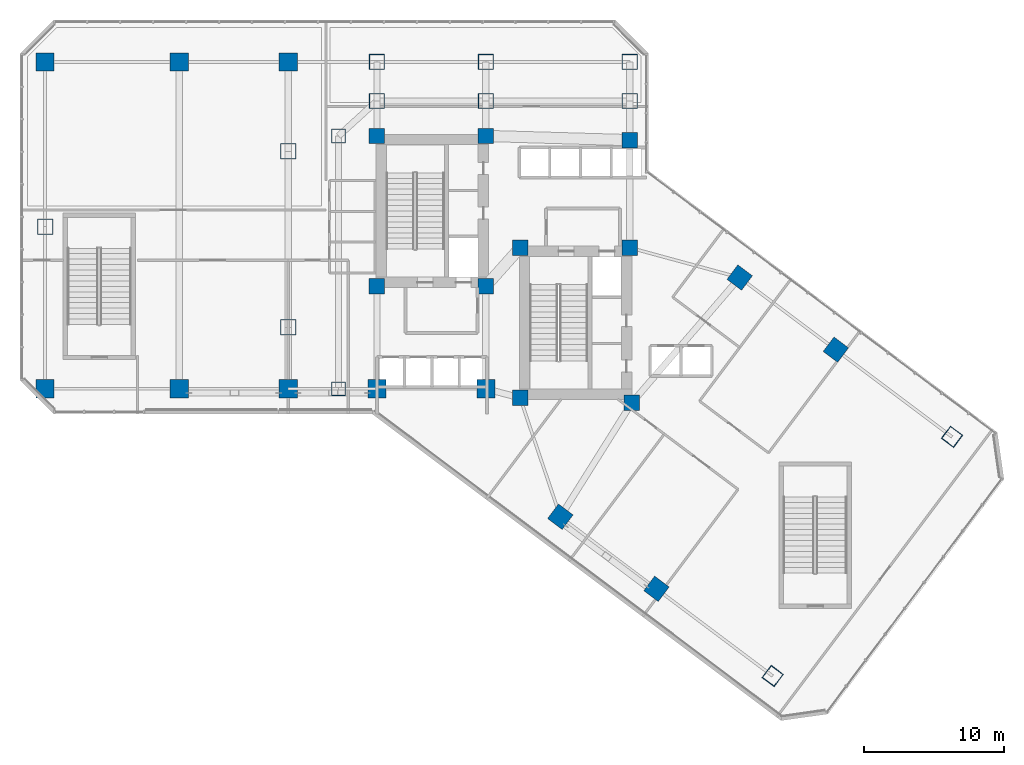
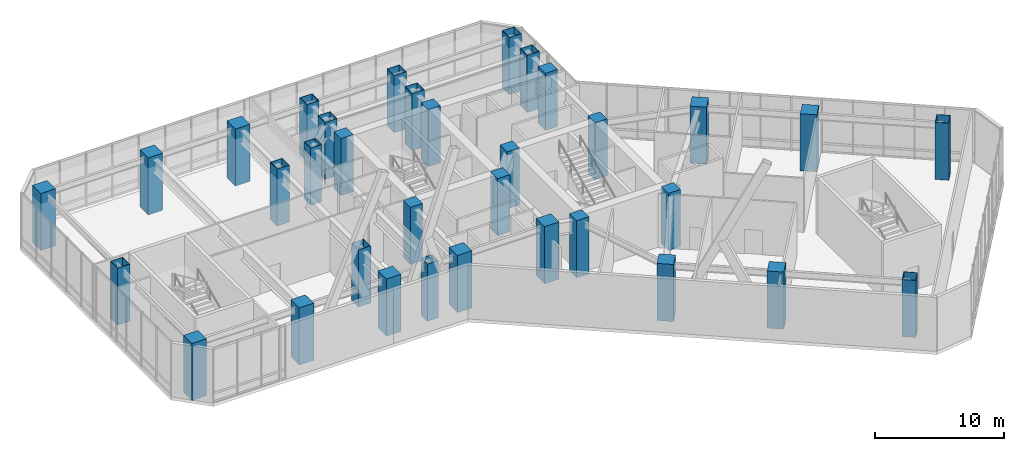
# One storey, part 1 of 35: 34 columns.
"""IFC4 building model written with IfcOpenShell, lengths in metres."""

from ifc_helpers import new_model, si_unit, direction, frame, origin, origin_2d, place, context, subcontext, project, spatial, rectangle, hollow_rectangle, extrude, material, material_profile, profile_set, type_object, element, save


model = new_model("IFC4")

# Units and contexts
model_context = context("Model", 3, precision=1e-05, world=origin(), true_north=direction((0.0, 1.0)))
body_context = subcontext(model_context, "Body", "Model", "MODEL_VIEW")
ifc_project = project(units=[si_unit("LENGTHUNIT", "METRE"), si_unit("AREAUNIT", "SQUARE_METRE"), si_unit("VOLUMEUNIT", "CUBIC_METRE"), si_unit("PLANEANGLEUNIT", "RADIAN"), si_unit("MASSUNIT", "GRAM", prefix="KILO")], contexts=[model_context])

# Site, building, storey
site_placement = place(None, origin())
site = spatial("IfcSite", under=ifc_project, at=site_placement, CompositionType="ELEMENT")
building_placement = place(site_placement, origin())
building = spatial("IfcBuilding", under=site, at=building_placement, Name="Hatsunagi Terrace Concourse", CompositionType="ELEMENT")
storey_placement = place(building_placement, frame((0.0, 0.0, 5.39990234375)))
storey = spatial("IfcBuildingStorey", under=building, at=storey_placement, Name="L02", CompositionType="ELEMENT", Elevation=5.39990234375)

# Columns
ifc_material_1 = material(Name="Concrete Fc60", Category="concrete")
ifc_material_profile_1 = material_profile(ifc_material_1, rectangle(XDim=1.10009765625, YDim=1.10009765625, at=origin_2d()), Name="RC-1100x1100")
ifc_profile_set_1 = profile_set([ifc_material_profile_1], Name="Concrete Fc60")
column_type_1 = type_object("IfcColumnType", Name="CoreColumn_RC_1100x1100", PredefinedType="COLUMN", material=ifc_profile_set_1)
for number, where, z_axis, x_axis, name in (
    (1, (25.550048828125, 32.550048828125, 0.0), (0.0, 0.0, 1.0), (1.0, 0.0, 0.0), "Column C-01 L02-CASW"),
    (2, (33.35009765625, 32.550048828125, 0.0), (0.0, 0.0, 1.0), (1.0, 0.0, 0.0), "Column C-01 L02-CASE"),
    (3, (25.550048828125, 43.300048828125, 0.0), (0.0, 0.0, 1.0), (1.0, 0.0, 0.0), "Column C-01 L02-CANW"),
    (4, (33.35009765625, 43.300048828125, 0.0), (0.0, 0.0, 1.0), (1.0, 0.0, 0.0), "Column C-01 L02-CANE"),
    (5, (35.800048828125, 24.550048828125, 0.0), (0.0, 0.0, 1.0), (1.0, 0.0, 0.0), "Column C-01 L02-CBSW"),
    (6, (43.800048828125, 24.199951171875, 0.0), (0.0, 0.0, 1.0), (1.0, 0.0, 0.0), "Column C-01 L02-CBSE"),
    (7, (35.800048828125, 35.300048828125, 0.0), (0.0, 0.0, 1.0), (1.0, 0.0, 0.0), "Column C-01 L02-CBNW"),
    (8, (43.64990234375, 35.300048828125, 0.0), (0.0, 0.0, 1.0), (1.0, 0.0, 0.0), "Column C-01 L02-CBNE"),
    (9, (43.64990234375, 43.0, 0.0), (0.0, 0.0, 1.0), (1.0, 0.0, 0.0), "Column C-01 L02-K3"),
):
    element("IfcColumn", number, at=place(storey_placement, frame(where, z_axis=z_axis, x_axis=x_axis)), inside=storey, type_object=column_type_1, Name=name, PredefinedType="COLUMN", context=body_context, shape_type="SweptSolid", body=[
        extrude(rectangle(XDim=1.10009765625, YDim=1.10009765625, at=origin_2d()), origin(), (0.0, 0.0, 1.0), 5.400146484375),
    ])
ifc_material_2 = material(Name="Steel BCP325T", Category="steel")
ifc_material_profile_2 = material_profile(ifc_material_2, hollow_rectangle(XDim=1.10009765625, YDim=1.10009765625, WallThickness=0.0400390625, at=origin_2d()), Name="BCP-1100x1100x40")
ifc_profile_set_2 = profile_set([ifc_material_profile_2], Name="Steel BCP325T")
column_type_2 = type_object("IfcColumnType", Name="MegaColumn_BCP_1100x1100x40", PredefinedType="COLUMN", material=ifc_profile_set_2)
for number, where, z_axis, x_axis, name in (
    (10, (25.550048828125, 45.800048828125, 0.0), (0.0, 0.0, 1.0), (1.0, 0.0, 0.0), "Mega column MC-02 L02-CN1"),
    (11, (33.35009765625, 45.800048828125, 0.0), (0.0, 0.0, 1.0), (1.0, 0.0, 0.0), "Mega column MC-02 L02-CN2"),
    (12, (43.64990234375, 45.800048828125, 0.0), (0.0, 0.0, 1.0), (1.0, 0.0, 0.0), "Mega column MC-02 L02-CN3"),
    (13, (1.800048828125, 36.800048828125, 0.0), (0.0, 0.0, 1.0), (1.0, 0.0, 0.0), "Mega column MC-02 L02-WM0"),
    (14, (25.550048828125, 48.60009765625, 0.0), (0.0, 0.0, 1.0), (1.0, 0.0, 0.0), "Mega column MC-02 L02-WN4"),
    (15, (33.35009765625, 48.60009765625, 0.0), (0.0, 0.0, 1.0), (1.0, 0.0, 0.0), "Mega column MC-02 L02-WN5"),
    (16, (43.64990234375, 48.60009765625, 0.0), (0.0, 0.0, 1.0), (1.0, 0.0, 0.0), "Mega column MC-02 L02-WN6"),
    (17, (19.199951171875, 29.60009765625, 0.0), (0.0, 0.0, 1.0), (1.0, 0.0, 0.0), "Mega column MC-02 L02-WR1"),
    (18, (19.199951171875, 42.199951171875, 0.0), (0.0, 0.0, 1.0), (1.0, 0.0, 0.0), "Mega column MC-02 L02-WR2"),
    (19, (53.8798828125, 4.639892578125, 0.0), (0.0, 0.0, 1.0), (0.799999996291, -0.600000004945, 0.0), "Mega column MC-02 L02-SES3"),
    (20, (66.719970703125, 21.760009765625, 0.0), (0.0, 0.0, 1.0), (0.799999996291, -0.600000004945, 0.0), "Mega column MC-02 L02-SEN3"),
):
    element("IfcColumn", number, at=place(storey_placement, frame(where, z_axis=z_axis, x_axis=x_axis)), inside=storey, type_object=column_type_2, Name=name, PredefinedType="COLUMN", context=body_context, shape_type="SweptSolid", body=[
        extrude(hollow_rectangle(XDim=1.10009765625, YDim=1.10009765625, WallThickness=0.0400390625, at=origin_2d()), origin(), (0.0, 0.0, 1.0), 5.400146484375),
    ])
ifc_material_3 = material(Name="Concrete Fc60", Category="concrete")
ifc_material_profile_3 = material_profile(ifc_material_3, rectangle(XDim=1.300048828125, YDim=1.300048828125, at=origin_2d()), Name="RC-1300x1300")
ifc_profile_set_3 = profile_set([ifc_material_profile_3], Name="Concrete Fc60")
column_type_3 = type_object("IfcColumnType", Name="MegaColumn_RC_1300x1300", PredefinedType="COLUMN", material=ifc_profile_set_3)
for number, where, z_axis, x_axis, name in (
    (21, (25.550048828125, 25.199951171875, 0.0), (0.0, 0.0, 1.0), (1.0, 0.0, 0.0), "Mega column MC-01 L02-K1"),
    (22, (33.35009765625, 25.199951171875, 0.0), (0.0, 0.0, 1.0), (1.0, 0.0, 0.0), "Mega column MC-01 L02-K2"),
    (23, (1.800048828125, 25.199951171875, 0.0), (0.0, 0.0, 1.0), (1.0, 0.0, 0.0), "Mega column MC-01 L02-WS1"),
    (24, (1.800048828125, 48.60009765625, 0.0), (0.0, 0.0, 1.0), (1.0, 0.0, 0.0), "Mega column MC-01 L02-WN1"),
    (25, (11.39990234375, 25.199951171875, 0.0), (0.0, 0.0, 1.0), (1.0, 0.0, 0.0), "Mega column MC-01 L02-WS2"),
    (26, (11.39990234375, 48.60009765625, 0.0), (0.0, 0.0, 1.0), (1.0, 0.0, 0.0), "Mega column MC-01 L02-WN2"),
    (27, (19.199951171875, 48.60009765625, 0.0), (0.0, 0.0, 1.0), (1.0, 0.0, 0.0), "Mega column MC-01 L02-WN3"),
    (28, (19.199951171875, 25.199951171875, 0.0), (0.0, 0.0, 1.0), (1.0, 0.0, 0.0), "Mega column MC-01 L02-WS3"),
    (29, (38.679931640625, 16.0400390625, 0.0), (0.0, 0.0, 1.0), (0.799999996291, -0.600000004945, 0.0), "Mega column MC-01 L02-SES1"),
    (30, (51.52001953125, 33.159912109375, 0.0), (0.0, 0.0, 1.0), (0.799999996291, -0.600000004945, 0.0), "Mega column MC-01 L02-SEN1"),
    (31, (45.56005859375, 10.8798828125, 0.0), (0.0, 0.0, 1.0), (0.799999996291, -0.600000004945, 0.0), "Mega column MC-01 L02-SES2"),
    (32, (58.39990234375, 28.0, 0.0), (0.0, 0.0, 1.0), (0.799999996291, -0.600000004945, 0.0), "Mega column MC-01 L02-SEN2"),
):
    element("IfcColumn", number, at=place(storey_placement, frame(where, z_axis=z_axis, x_axis=x_axis)), inside=storey, type_object=column_type_3, Name=name, PredefinedType="COLUMN", context=body_context, shape_type="SweptSolid", body=[
        extrude(rectangle(XDim=1.300048828125, YDim=1.300048828125, at=origin_2d()), origin(), (0.0, 0.0, 1.0), 5.400146484375),
    ])
ifc_material_4 = material(Name="Steel BCP325T", Category="steel")
ifc_material_profile_4 = material_profile(ifc_material_4, hollow_rectangle(XDim=1.0, YDim=1.0, WallThickness=0.0380859375, at=origin_2d()), Name="BCP-1000x1000x38")
ifc_profile_set_4 = profile_set([ifc_material_profile_4], Name="Steel BCP325T")
column_type_4 = type_object("IfcColumnType", Name="TowerBoxColumn_1000x1000x38", PredefinedType="COLUMN", material=ifc_profile_set_4)
for number, where, z_axis, x_axis, name in (
    (33, (22.800048828125, 25.199951171875, 0.0), (0.0, 0.0, 1.0), (1.0, 0.0, 0.0), "Column C-03 L02-CW1"),
    (34, (22.800048828125, 43.300048828125, 0.0), (0.0, 0.0, 1.0), (1.0, 0.0, 0.0), "Column C-03 L02-CW2"),
):
    element("IfcColumn", number, at=place(storey_placement, frame(where, z_axis=z_axis, x_axis=x_axis)), inside=storey, type_object=column_type_4, Name=name, PredefinedType="COLUMN", context=body_context, shape_type="SweptSolid", body=[
        extrude(hollow_rectangle(XDim=1.0, YDim=1.0, WallThickness=0.0380859375, at=origin_2d()), origin(), (0.0, 0.0, 1.0), 5.400146484375),
    ])

save(model, "model.ifc")
